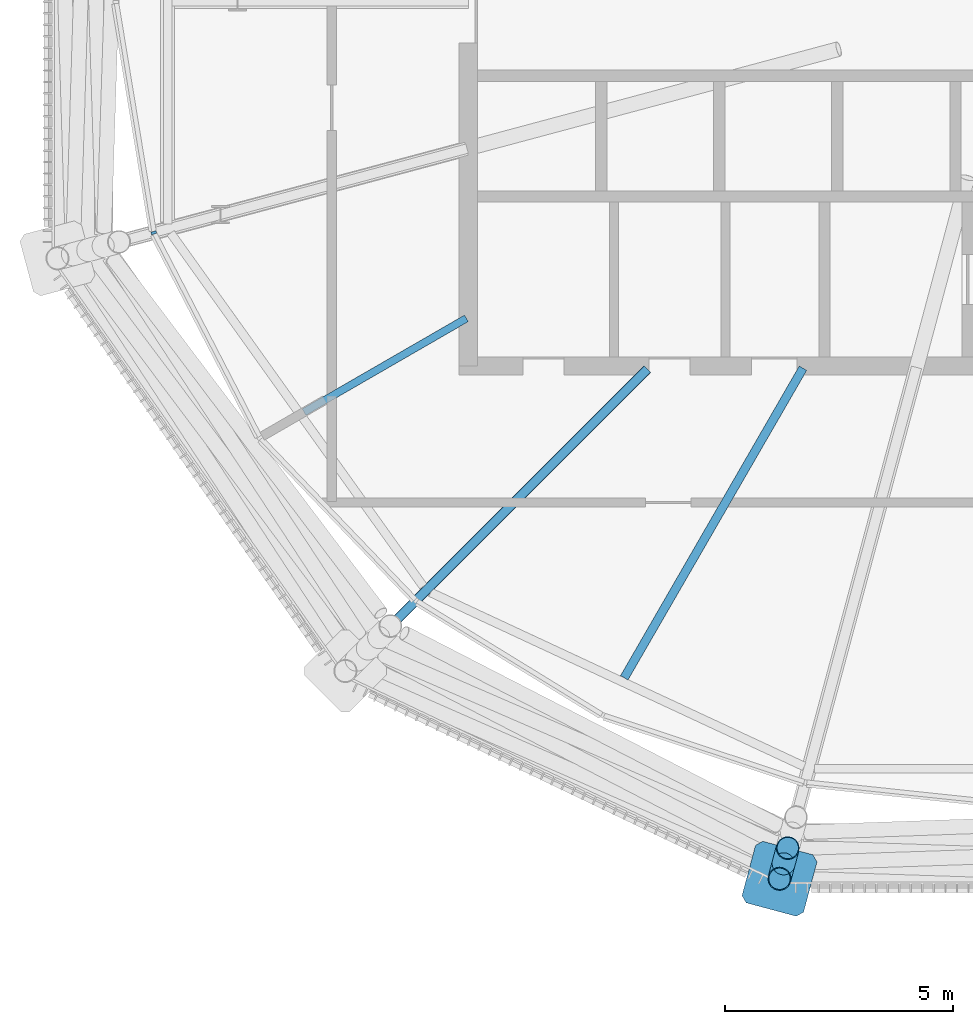
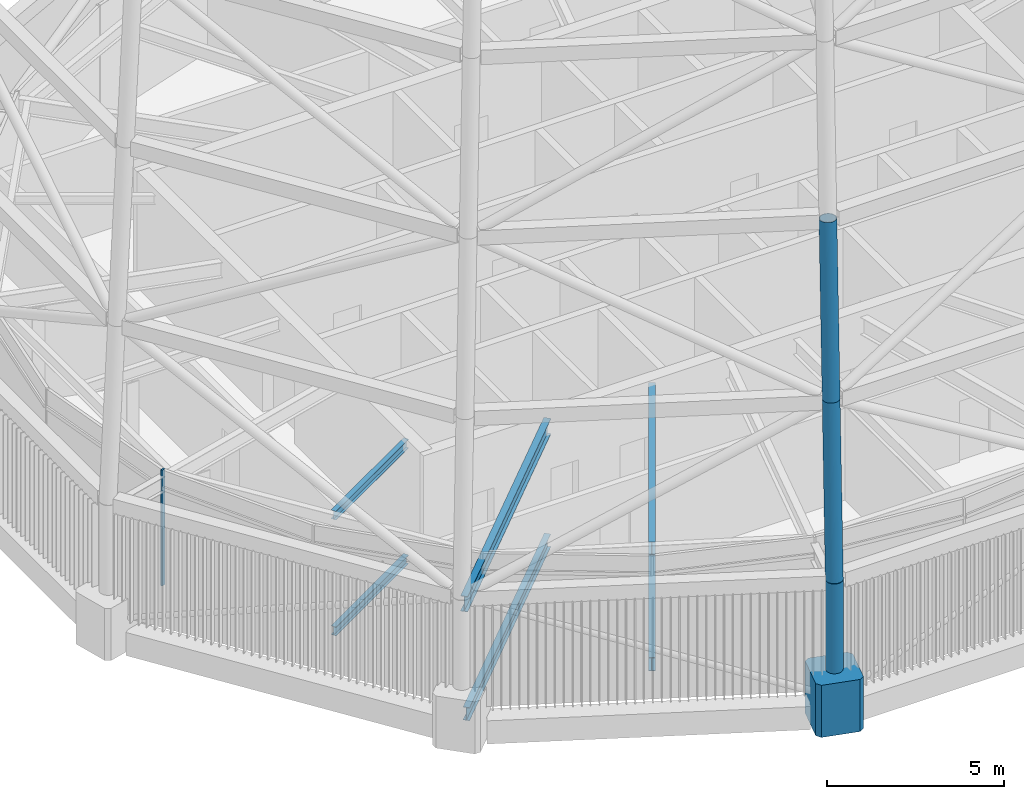
# One storey, part 7 of 71: 6 beams, 5 members, 1 element without a shape of its own.
"""IFC4 building model written with IfcOpenShell, lengths in metres."""

from ifc_helpers import new_model, si_unit, direction, frame, origin, origin_2d, place, context, subcontext, project, spatial, polyline, rectangle, hollow_circle, i_section, outline, extrude, material, material_profile, profile_set, type_object, element, aggregate, save


model = new_model("IFC4")

# Units and contexts
model_context = context("Model", 3, precision=1e-05, world=origin(), true_north=direction((0.0, 1.0)))
body_context = subcontext(model_context, "Body", "Model", "MODEL_VIEW")
ifc_project = project(units=[si_unit("LENGTHUNIT", "METRE"), si_unit("AREAUNIT", "SQUARE_METRE"), si_unit("VOLUMEUNIT", "CUBIC_METRE"), si_unit("PLANEANGLEUNIT", "RADIAN"), si_unit("MASSUNIT", "GRAM", prefix="KILO")], contexts=[model_context])

# Site, building, storey
site_placement = place(None, origin())
site = spatial("IfcSite", under=ifc_project, at=site_placement, CompositionType="ELEMENT")
building_placement = place(site_placement, origin())
building = spatial("IfcBuilding", under=site, at=building_placement, Name="Rimbun Link Towers", CompositionType="ELEMENT")
storey_placement = place(building_placement, frame((0.0, 0.0, 267.60009765625)))
storey = spatial("IfcBuildingStorey", under=building, at=storey_placement, Name="L65", CompositionType="ELEMENT", Elevation=267.60009765625)

# Curtain wall, member
ifc_material_1 = material(Name="Aluminium 6063-T6 louvre wall", Category="aluminium")
curtain_wall_type = type_object("IfcCurtainWallType", Name="CW6 plant floor louvre wall", PredefinedType="NOTDEFINED", material=ifc_material_1)
curtain_wall_placement = place(storey_placement, origin())
curtain_wall = element("IfcCurtainWall", 1, at=curtain_wall_placement, inside=storey, type_object=curtain_wall_type, Name="CW6 L65 T1", PredefinedType="NOTDEFINED")
ifc_material_2 = material(Name="Aluminium 6063-T6", Category="aluminium")
ifc_material_profile_1 = material_profile(ifc_material_2, rectangle(XDim=0.1201171875, YDim=0.06005859375, at=origin_2d()), Name="MULLION 60X120")
ifc_profile_set_1 = profile_set([ifc_material_profile_1], Name="Aluminium 6063-T6")
member_type_1 = type_object("IfcMemberType", Name="CW6 mullion 60X120", PredefinedType="MULLION", material=ifc_profile_set_1)
member_1_placement = place(storey_placement, frame((-50.66064453125, -5.07080078125, 0.0), z_axis=(0.0, 0.0, 1.0), x_axis=(-0.949160819046, -0.31479158119, 0.0)))
member_1 = element("IfcMember", 2, at=member_1_placement, type_object=member_type_1, Name="CW6 mullion", PredefinedType="MULLION", context=body_context, shape_type="SweptSolid", body=[
    extrude(rectangle(XDim=0.1201171875, YDim=0.06005859375, at=origin_2d()), origin(), (0.0, 0.0, 1.0), 4.0),
])
aggregate(curtain_wall, [member_1])

# Members
ifc_material_3 = material(Name="Steel S355J2H", Category="steel")
ifc_material_profile_2 = material_profile(ifc_material_3, hollow_circle(Radius=0.25390625, WallThickness=0.02001953125, at=origin_2d()), Name="Crown frame post CHS 508x20")
ifc_profile_set_2 = profile_set([ifc_material_profile_2], Name="Steel S355J2H")
member_type_2 = type_object("IfcMemberType", Name="Crown frame post CHS 508x20", PredefinedType="POST", material=ifc_profile_set_2)
member_2_placement = place(storey_placement, frame((-36.912353515625, -19.266357421875, 0.0), z_axis=(0.0, 0.0, 1.0), x_axis=(1.0, 0.0, 0.0)))
element("IfcMember", 3, at=member_2_placement, inside=storey, type_object=member_type_2, Name="CROWN FRAME post T1 1-08", PredefinedType="POST", context=body_context, shape_type="SweptSolid", body=[
    extrude(hollow_circle(Radius=0.25390625, WallThickness=0.02001953125, at=origin_2d()), origin(), (0.0, 0.0, 1.0), 4.0),
])
for number, where, z_axis, x_axis, name in (
    (4, (-36.912353515625, -19.266357421875, 4.0), (0.015070401624, 0.056260124661, 0.998302399761), (-0.965944938819, 0.258747705633, 0.0), "CROWN FRAME post T1 2-08"),
    (5, (-36.82177734375, -18.92822265625, 10.0), (0.015070401624, 0.056260124661, 0.998302399761), (-0.965944938819, 0.258747705633, 0.0), "CROWN FRAME post T1 3-08"),
):
    element("IfcMember", number, at=place(storey_placement, frame(where, z_axis=z_axis, x_axis=x_axis)), inside=storey, type_object=member_type_2, Name=name, PredefinedType="POST", context=body_context, shape_type="SweptSolid", body=[
        extrude(hollow_circle(Radius=0.25390625, WallThickness=0.02001953125, at=origin_2d()), origin(), (0.0, 0.0, 1.0), 6.01025390625),
    ])
ifc_material_4 = material(Name="Cast steel G20Mn5+QT, Rp0.2 300 MPa", Category="steel")
ifc_material_profile_3 = material_profile(ifc_material_4, outline(polyline([(0.699951171875, -0.570068359375), (0.699951171875, 0.570068359375), (0.570068359375, 0.699951171875), (-0.570068359375, 0.699951171875), (-0.699951171875, 0.570068359375), (-0.699951171875, -0.570068359375), (-0.570068359375, -0.699951171875), (0.570068359375, -0.699951171875), (0.699951171875, -0.570068359375)])), Name="NODE 1400x1400")
ifc_profile_set_3 = profile_set([ifc_material_profile_3], Name="Cast steel G20Mn5+QT, Rp0.2 300 MPa")
member_type_3 = type_object("IfcMemberType", Name="Diagrid node cast 1400", PredefinedType="USERDEFINED", material=ifc_profile_set_3)
member_3_placement = place(storey_placement, frame((-36.912353515625, -19.266357421875, -0.900146484375), z_axis=(0.0, 0.0, 1.0), x_axis=(-0.258819045103, -0.965925826289, 0.0)))
element("IfcMember", 6, at=member_3_placement, inside=storey, type_object=member_type_3, Name="Diagrid node L65 17", ObjectType="Diagrid node", PredefinedType="USERDEFINED", context=body_context, shape_type="SweptSolid", body=[
    extrude(outline(polyline([(0.699951171875, -0.570068359375), (0.699951171875, 0.570068359375), (0.570068359375, 0.699951171875), (-0.570068359375, 0.699951171875), (-0.699951171875, 0.570068359375), (-0.699951171875, -0.570068359375), (-0.570068359375, -0.699951171875), (0.570068359375, -0.699951171875), (0.699951171875, -0.570068359375)])), origin(), (0.0, 0.0, 1.0), 1.800048828125),
])

# Beams
ifc_material_5 = material(Name="Steel S355J2", Category="steel")
ifc_material_profile_4 = material_profile(ifc_material_5, i_section(OverallWidth=0.1650390625, OverallDepth=0.303466796875, WebThickness=0.006103515625, FlangeThickness=0.01025390625, at=origin_2d()), Name="UB 305x165x40")
ifc_profile_set_4 = profile_set([ifc_material_profile_4], Name="Steel S355J2")
beam_type_1 = type_object("IfcBeamType", Name="UB 305x165x40", PredefinedType="BEAM", material=ifc_profile_set_4)
for number, where, z_axis, x_axis, name in (
    (7, (-43.7919921875, -6.952392578125, -0.351806640625), (-0.866009926209, -0.50002680699, 0.0), (0.50002680699, -0.866009926209, 0.0), "Radial beam T1 L65 14"),
    (8, (-43.7919921875, -6.952392578125, 3.648193359375), (-0.866009926209, -0.50002680699, 0.0), (0.50002680699, -0.866009926209, 0.0), "Radial beam T1 L65 14"),
):
    element("IfcBeam", number, at=place(storey_placement, frame(where, z_axis=z_axis, x_axis=x_axis)), inside=storey, type_object=beam_type_1, Name=name, PredefinedType="BEAM", context=body_context, shape_type="SweptSolid", body=[
        extrude(i_section(OverallWidth=0.1650390625, OverallDepth=0.303466796875, WebThickness=0.006103515625, FlangeThickness=0.01025390625, at=origin_2d()), origin(), (0.0, 0.0, 1.0), 4.119873046875),
    ])
ifc_material_6 = material(Name="Steel S355J2", Category="steel")
ifc_material_profile_5 = material_profile(ifc_material_6, i_section(OverallWidth=0.18994140625, OverallDepth=0.453369140625, WebThickness=0.008544921875, FlangeThickness=0.0126953125, at=origin_2d()), Name="UB 457x191x67")
ifc_profile_set_5 = profile_set([ifc_material_profile_5], Name="Steel S355J2")
beam_type_2 = type_object("IfcBeamType", Name="UB 457x191x67", PredefinedType="BEAM", material=ifc_profile_set_5)
beam_1_placement = place(storey_placement, frame((-39.81787109375, -8.06787109375, -0.4267578125), z_axis=(-0.707106781187, -0.707106781187, 0.0), x_axis=(0.707106781187, -0.707106781187, 0.0)))
element("IfcBeam", 9, at=beam_1_placement, inside=storey, type_object=beam_type_2, Name="Radial beam T1 L65 15", PredefinedType="BEAM", context=body_context, shape_type="SweptSolid", body=[
    extrude(i_section(OverallWidth=0.18994140625, OverallDepth=0.453369140625, WebThickness=0.008544921875, FlangeThickness=0.0126953125, at=origin_2d()), origin(), (0.0, 0.0, 1.0), 8.880615234375),
])
for number, where, z_axis, x_axis, name in (
    (10, (-36.396728515625, -8.04833984375, -0.4267578125), (-0.499993288894, -0.866029278408, 0.0), (0.866029278408, -0.499993288894, 0.0), "Radial beam T1 L65 16"),
    (11, (-36.396728515625, -8.04833984375, 3.5732421875), (-0.499993288894, -0.866029278408, 0.0), (0.866029278408, -0.499993288894, 0.0), "Radial beam T1 L65 16"),
):
    element("IfcBeam", number, at=place(storey_placement, frame(where, z_axis=z_axis, x_axis=x_axis)), inside=storey, type_object=beam_type_2, Name=name, PredefinedType="BEAM", context=body_context, shape_type="SweptSolid", body=[
        extrude(i_section(OverallWidth=0.18994140625, OverallDepth=0.453369140625, WebThickness=0.008544921875, FlangeThickness=0.0126953125, at=origin_2d()), origin(), (0.0, 0.0, 1.0), 7.85498046875),
    ])
ifc_material_7 = material(Name="Steel S355J2", Category="steel")
ifc_material_profile_6 = material_profile(ifc_material_7, i_section(OverallWidth=0.209228515625, OverallDepth=0.533203125, WebThickness=0.010009765625, FlangeThickness=0.015625, at=origin_2d()), Name="UB 533x210x92")
ifc_profile_set_6 = profile_set([ifc_material_profile_6], Name="Steel S355J2")
beam_type_3 = type_object("IfcBeamType", Name="UB 533x210x92", PredefinedType="BEAM", material=ifc_profile_set_6)
beam_2_placement = place(storey_placement, frame((-39.82470703125, -8.07470703125, 3.533447265625), z_axis=(-0.707106781187, -0.707106781187, 0.0), x_axis=(0.707106781187, -0.707106781187, 0.0)))
element("IfcBeam", 12, at=beam_2_placement, inside=storey, type_object=beam_type_3, Name="Radial beam T1 L65 15", PredefinedType="BEAM", context=body_context, shape_type="SweptSolid", body=[
    extrude(i_section(OverallWidth=0.209228515625, OverallDepth=0.533203125, WebThickness=0.010009765625, FlangeThickness=0.015625, at=origin_2d()), origin(), (0.0, 0.0, 1.0), 9.111328125),
])

save(model, "model.ifc")
